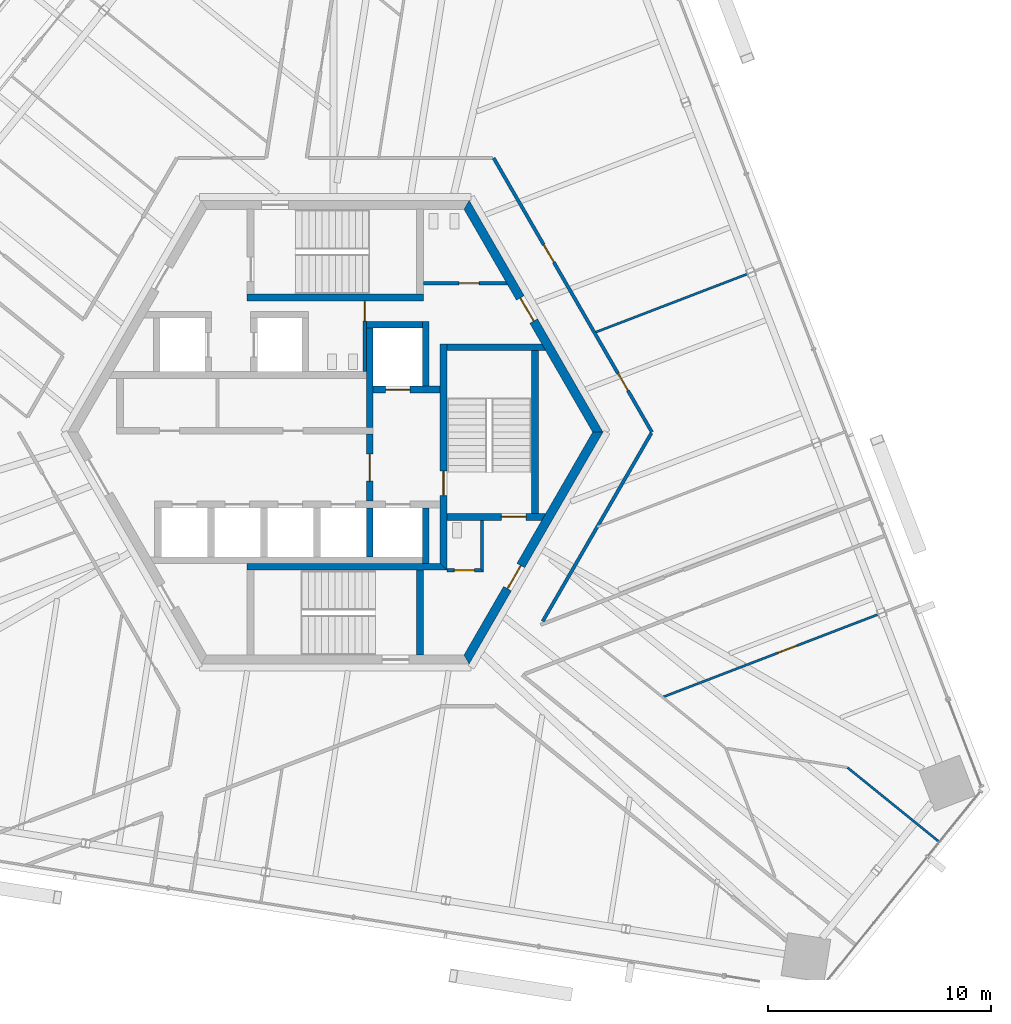
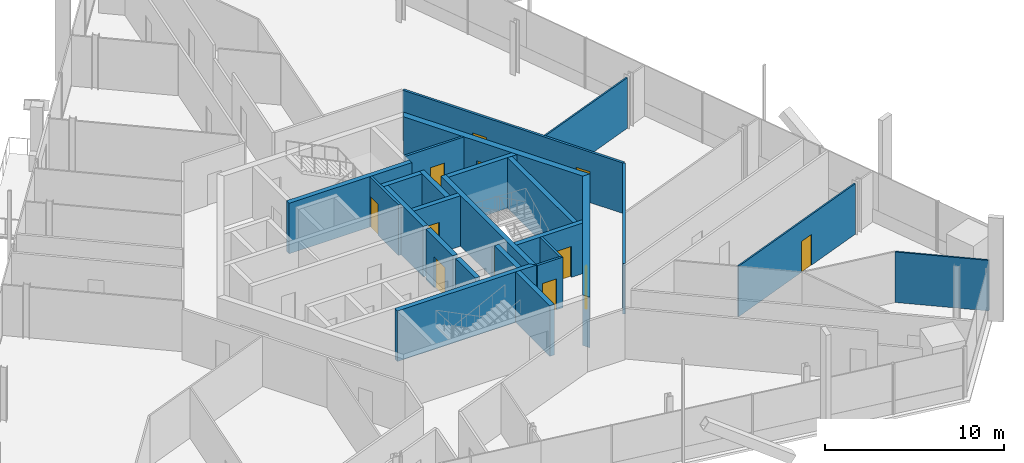
# One storey, part 13 of 21: 25 walls, 12 doors, 12 openings.
"""IFC4 building model written with IfcOpenShell, lengths in metres."""

from ifc_helpers import new_model, si_unit, direction, frame, frame_2d, origin, place, context, subcontext, project, spatial, polyline, rectangle, outline, extrude, source, transform, mapped, material, layer, layer_set, type_object, element, fill, save


model = new_model("IFC4")

# Units and contexts
model_context = context("Model", 3, precision=1e-05, world=origin(), true_north=direction((0.0, 1.0)))
body_context = subcontext(model_context, "Body", "Model", "MODEL_VIEW")
ifc_project = project(units=[si_unit("LENGTHUNIT", "METRE"), si_unit("AREAUNIT", "SQUARE_METRE"), si_unit("VOLUMEUNIT", "CUBIC_METRE"), si_unit("PLANEANGLEUNIT", "RADIAN"), si_unit("MASSUNIT", "GRAM", prefix="KILO")], contexts=[model_context])

# Site, building, storey
site_placement = place(None, origin())
site = spatial("IfcSite", under=ifc_project, at=site_placement, CompositionType="ELEMENT")
building_placement = place(site_placement, origin())
building = spatial("IfcBuilding", under=site, at=building_placement, Name="Triune Harvest Tower", CompositionType="ELEMENT")
storey_placement = place(building_placement, frame((0.0, 0.0, 146.10009765625)))
storey = spatial("IfcBuildingStorey", under=building, at=storey_placement, Name="L37", CompositionType="ELEMENT", Elevation=146.10009765625)

# Wall
ifc_material_1 = material(Name="Gypsum board on steel studs", Category="steel")
ifc_layer_1 = layer(ifc_material_1, 0.10009765625)
ifc_layer_set_1 = layer_set([ifc_layer_1], Name="Gypsum board on steel studs")
wall_type_1 = type_object("IfcWallType", Name="Partition 100 mm", PredefinedType="PARTITIONING", material=ifc_layer_set_1)
wall_1_placement = place(storey_placement, frame((22.9658203125, -15.041259765625, 0.0), z_axis=(0.0, 0.0, 1.0), x_axis=(0.777157899173, -0.629305648912, 0.0)))
element("IfcWall", 1, at=wall_1_placement, inside=storey, type_object=wall_type_1, Name="Partition L37 014", PredefinedType="PARTITIONING", context=body_context, shape_type="SweptSolid", body=[
    extrude(rectangle(XDim=5.295654296875, YDim=0.10009765625, at=frame_2d((2.64794921875, 0.0))), origin(), (0.0, 0.0, 1.0), 3.43994140625),
])

# Wall, opening, door
ifc_material_2 = material(Name="Concrete 70 MPa", Category="concrete")
ifc_layer_2 = layer(ifc_material_2, 0.39990234375)
ifc_layer_set_2 = layer_set([ifc_layer_2], Name="Concrete 70 MPa")
wall_type_2 = type_object("IfcWallType", Name="Core wall 400", PredefinedType="SHEAR", material=ifc_layer_set_2)
shared_shape_1 = source(origin(), body_context, "Body", "SweptSolid", [
    extrude(outline(polyline([(-0.115478515625, -0.199951171875), (11.884521484375, -0.199951171875), (11.653564453125, 0.199951171875), (0.115478515625, 0.199951171875), (-0.115478515625, -0.199951171875)])), origin(), (0.0, 0.0, 1.0), 3.43994140625),
])
wall_2_placement = place(storey_placement, frame((11.76904296875, 0.0, 0.0), z_axis=(0.0, 0.0, 1.0), x_axis=(-0.499996592174, 0.866027371285, 0.0)))
wall_2 = element("IfcWall", 2, at=wall_2_placement, inside=storey, type_object=wall_type_2, Name="Hexagon 0 wall", PredefinedType="SHEAR", context=body_context, shape_type="MappedRepresentation", body=[
    mapped(shared_shape_1, transform((0.0, 0.0, 0.0), scale=1.0)),
])
opening_1_placement = place(wall_2_placement, frame((5.75048828125, 0.0, 0.0)))
opening_1 = element("IfcOpeningElement", 3, at=opening_1_placement, cuts=wall_2, Name="Opening CD-WCP", PredefinedType="OPENING", context=body_context, shape_type="SweptSolid", body=[
    extrude(rectangle(XDim=1.199951171875, YDim=2.10009765625, at=frame_2d((0.60009765625, 1.050048828125))), frame((0.0, 0.2099609375, 0.0), z_axis=(0.0, -1.0, 0.0), x_axis=(1.0, 0.0, 0.0)), (0.0, 0.0, 1.0), 0.419921875),
])
ifc_material_3 = material(Name="Steel S235", Category="steel")
door_type_1 = type_object("IfcDoorType", Name="Lobby door 1200 FD120", OperationType="SINGLE_SWING_LEFT", PredefinedType="DOOR", material=ifc_material_3)
door_1_placement = place(opening_1_placement, frame((1.199951171875, 0.0, 0.0), z_axis=(0.0, 0.0, 1.0), x_axis=(-1.0, 0.0, 0.0)))
door_1 = element("IfcDoor", 4, at=door_1_placement, inside=storey, type_object=door_type_1, Name="Door CD-WCP", OperationType="SINGLE_SWING_RIGHT", OverallHeight=2.10009765625, OverallWidth=1.199951171875, PredefinedType="DOOR", context=body_context, shape_type="SweptSolid", body=[
    extrude(rectangle(XDim=1.199951171875, YDim=2.10009765625, at=frame_2d((0.60009765625, 1.050048828125))), frame((0.0, 0.02490234375, 0.0), z_axis=(0.0, -1.0, 0.0), x_axis=(1.0, 0.0, 0.0)), (0.0, 0.0, 1.0), 0.050048828125),
])
fill(opening_1, door_1)

wall_3_placement = place(storey_placement, frame((5.884521484375, -10.1923828125, 0.0), z_axis=(0.0, 0.0, 1.0), x_axis=(0.499996592174, 0.866027371285, 0.0)))
wall_3 = element("IfcWall", 5, at=wall_3_placement, inside=storey, type_object=wall_type_2, Name="Hexagon 5 wall", PredefinedType="SHEAR", context=body_context, shape_type="MappedRepresentation", body=[
    mapped(shared_shape_1, transform((0.0, 0.0, 0.0), scale=1.0)),
])
opening_2_placement = place(wall_3_placement, frame((3.66455078125, 0.0, 0.0)))
opening_2 = element("IfcOpeningElement", 6, at=opening_2_placement, cuts=wall_3, Name="Opening CD-DP", PredefinedType="OPENING", context=body_context, shape_type="SweptSolid", body=[
    extrude(rectangle(XDim=1.199951171875, YDim=2.10009765625, at=frame_2d((0.60009765625, 1.050048828125))), frame((0.0, 0.2099609375, 0.0), z_axis=(0.0, -1.0, 0.0), x_axis=(1.0, 0.0, 0.0)), (0.0, 0.0, 1.0), 0.419921875),
])
ifc_material_4 = material(Name="Steel S235", Category="steel")
door_type_2 = type_object("IfcDoorType", Name="Stair door 1200 FD120", OperationType="SINGLE_SWING_LEFT", PredefinedType="DOOR", material=ifc_material_4)
door_2_placement = place(opening_2_placement, frame((1.199951171875, 0.0, 0.0), z_axis=(0.0, 0.0, 1.0), x_axis=(-1.0, 0.0, 0.0)))
door_2 = element("IfcDoor", 7, at=door_2_placement, inside=storey, type_object=door_type_2, Name="Door CD-DP", OperationType="SINGLE_SWING_RIGHT", OverallHeight=2.10009765625, OverallWidth=1.199951171875, PredefinedType="DOOR", context=body_context, shape_type="SweptSolid", body=[
    extrude(rectangle(XDim=1.199951171875, YDim=2.10009765625, at=frame_2d((0.60009765625, 1.050048828125))), frame((0.0, 0.02490234375, 0.0), z_axis=(0.0, -1.0, 0.0), x_axis=(1.0, 0.0, 0.0)), (0.0, 0.0, 1.0), 0.050048828125),
])
fill(opening_2, door_2)

# Walls
ifc_material_5 = material(Name="Concrete 70 MPa", Category="concrete")
ifc_layer_3 = layer(ifc_material_5, 0.300048828125)
ifc_layer_set_3 = layer_set([ifc_layer_3], Name="Concrete 70 MPa")
wall_type_3 = type_object("IfcWallType", Name="Core wall 300", PredefinedType="SHEAR", material=ifc_layer_set_3)
shared_shape_2 = source(origin(), body_context, "Body", "SweptSolid", [
    extrude(rectangle(XDim=2.5, YDim=0.300048828125, at=frame_2d((1.25, 0.0))), origin(), (0.0, 0.0, 1.0), 3.43994140625),
])
for number, where, z_axis, x_axis, name in (
    (8, (1.39990234375, 4.81005859375, 0.0), (0.0, 0.0, 1.0), (1.0, 0.0, 0.0), "Ff1 back wall"),
    (9, (4.050048828125, -5.889892578125, 0.0), (0.0, 0.0, 1.0), (0.0, 1.0, 0.0), "Ff2 east wall"),
):
    element("IfcWall", number, at=place(storey_placement, frame(where, z_axis=z_axis, x_axis=x_axis)), inside=storey, type_object=wall_type_3, Name=name, PredefinedType="SHEAR", context=body_context, shape_type="MappedRepresentation", body=[
        mapped(shared_shape_2, transform((0.0, 0.0, 0.0), scale=1.0)),
    ])
shared_shape_3 = source(origin(), body_context, "Body", "SweptSolid", [
    extrude(rectangle(XDim=4.449951171875, YDim=0.300048828125, at=frame_2d((2.22509765625, 0.0))), origin(), (0.0, 0.0, 1.0), 3.43994140625),
])
wall_4_placement = place(storey_placement, frame((1.550048828125, 0.2099609375, 0.0), z_axis=(0.0, 0.0, 1.0), x_axis=(0.0, 1.0, 0.0)))
element("IfcWall", 10, at=wall_4_placement, inside=storey, type_object=wall_type_3, Name="Ff1 west wall", PredefinedType="SHEAR", context=body_context, shape_type="MappedRepresentation", body=[
    mapped(shared_shape_3, transform((0.0, 0.0, 0.0), scale=1.0)),
])

# Wall, opening, door
shared_shape_4 = source(origin(), body_context, "Body", "SweptSolid", [
    extrude(rectangle(XDim=3.0, YDim=0.300048828125, at=frame_2d((1.5, 0.0))), origin(), (0.0, 0.0, 1.0), 3.43994140625),
])
wall_5_placement = place(storey_placement, frame((1.699951171875, 1.909912109375, 0.0), z_axis=(0.0, 0.0, 1.0), x_axis=(1.0, 0.0, 0.0)))
wall_5 = element("IfcWall", 11, at=wall_5_placement, inside=storey, type_object=wall_type_3, Name="Ff1 front wall", PredefinedType="SHEAR", context=body_context, shape_type="MappedRepresentation", body=[
    mapped(shared_shape_4, transform((0.0, 0.0, 0.0), scale=1.0)),
])
opening_3_placement = place(wall_5_placement, frame((0.550048828125, 0.0, 0.0)))
opening_3 = element("IfcOpeningElement", 12, at=opening_3_placement, cuts=wall_5, Name="Opening LD-FF1-37", PredefinedType="OPENING", context=body_context, shape_type="SweptSolid", body=[
    extrude(rectangle(XDim=1.10009765625, YDim=2.10009765625, at=frame_2d((0.550048828125, 1.050048828125))), frame((0.0, 0.16015625, 0.0), z_axis=(0.0, -1.0, 0.0), x_axis=(1.0, 0.0, 0.0)), (0.0, 0.0, 1.0), 0.320068359375),
])
ifc_material_6 = material(Name="Stainless steel AISI 304", Category="steel")
door_type_3 = type_object("IfcDoorType", Name="Landing door 1100 x 2100", OperationType="DOUBLE_DOOR_SLIDING", PredefinedType="DOOR", material=ifc_material_6)
door_3_placement = place(opening_3_placement, origin())
door_3 = element("IfcDoor", 13, at=door_3_placement, inside=storey, type_object=door_type_3, Name="Door LD-FF1-37", OperationType="DOUBLE_DOOR_SLIDING", OverallHeight=2.10009765625, OverallWidth=1.10009765625, PredefinedType="DOOR", context=body_context, shape_type="SweptSolid", body=[
    extrude(rectangle(XDim=1.10009765625, YDim=2.10009765625, at=frame_2d((0.550048828125, 1.050048828125))), frame((0.0, 0.02490234375, 0.0), z_axis=(0.0, -1.0, 0.0), x_axis=(1.0, 0.0, 0.0)), (0.0, 0.0, 1.0), 0.050048828125),
])
fill(opening_3, door_3)

wall_6_placement = place(storey_placement, frame((1.550048828125, -3.090087890625, 0.0), z_axis=(0.0, 0.0, 1.0), x_axis=(0.0, 1.0, 0.0)))
wall_6 = element("IfcWall", 14, at=wall_6_placement, inside=storey, type_object=wall_type_3, Name="Ff lobby west wall", PredefinedType="SHEAR", context=body_context, shape_type="MappedRepresentation", body=[
    mapped(shared_shape_4, transform((0.0, 0.0, 0.0), scale=1.0)),
])
opening_4_placement = place(wall_6_placement, frame((0.89990234375, 0.0, 0.0)))
opening_4 = element("IfcOpeningElement", 15, at=opening_4_placement, cuts=wall_6, Name="Opening CD-FL", PredefinedType="OPENING", context=body_context, shape_type="SweptSolid", body=[
    extrude(rectangle(XDim=1.199951171875, YDim=2.10009765625, at=frame_2d((0.60009765625, 1.050048828125))), frame((0.0, 0.16015625, 0.0), z_axis=(0.0, -1.0, 0.0), x_axis=(1.0, 0.0, 0.0)), (0.0, 0.0, 1.0), 0.320068359375),
])
ifc_material_7 = material(Name="Steel S235", Category="steel")
door_type_4 = type_object("IfcDoorType", Name="Firefighters' lobby door 1200 FD120", OperationType="SINGLE_SWING_LEFT", PredefinedType="DOOR", material=ifc_material_7)
door_4_placement = place(opening_4_placement, frame((1.199951171875, 0.0, 0.0), z_axis=(0.0, 0.0, 1.0), x_axis=(-1.0, 0.0, 0.0)))
door_4 = element("IfcDoor", 16, at=door_4_placement, inside=storey, type_object=door_type_4, Name="Door CD-FL", OperationType="SINGLE_SWING_RIGHT", OverallHeight=2.10009765625, OverallWidth=1.199951171875, PredefinedType="DOOR", context=body_context, shape_type="SweptSolid", body=[
    extrude(rectangle(XDim=1.199951171875, YDim=2.10009765625, at=frame_2d((0.60009765625, 1.050048828125))), frame((0.0, 0.02490234375, 0.0), z_axis=(0.0, -1.0, 0.0), x_axis=(1.0, 0.0, 0.0)), (0.0, 0.0, 1.0), 0.050048828125),
])
fill(opening_4, door_4)

# Walls
shared_shape_5 = source(origin(), body_context, "Body", "SweptSolid", [
    extrude(rectangle(XDim=2.89990234375, YDim=0.300048828125, at=frame_2d((1.449951171875, 0.0))), origin(), (0.0, 0.0, 1.0), 3.43994140625),
])
wall_7_placement = place(storey_placement, frame((4.050048828125, 2.06005859375, 0.0), z_axis=(0.0, 0.0, 1.0), x_axis=(0.0, 1.0, 0.0)))
element("IfcWall", 17, at=wall_7_placement, inside=storey, type_object=wall_type_3, Name="Ff1 east wall", PredefinedType="SHEAR", context=body_context, shape_type="MappedRepresentation", body=[
    mapped(shared_shape_5, transform((0.0, 0.0, 0.0), scale=1.0)),
])
shared_shape_6 = source(origin(), body_context, "Body", "SweptSolid", [
    extrude(rectangle(XDim=2.2001953125, YDim=0.300048828125, at=frame_2d((1.10009765625, 0.0))), origin(), (0.0, 0.0, 1.0), 3.43994140625),
])
wall_8_placement = place(storey_placement, frame((1.550048828125, -5.590087890625, 0.0), z_axis=(0.0, 0.0, 1.0), x_axis=(0.0, 1.0, 0.0)))
element("IfcWall", 18, at=wall_8_placement, inside=storey, type_object=wall_type_3, Name="Ff2 west wall", PredefinedType="SHEAR", context=body_context, shape_type="MappedRepresentation", body=[
    mapped(shared_shape_6, transform((0.0, 0.0, 0.0), scale=1.0)),
])

# Wall, opening, door
shared_shape_7 = source(origin(), body_context, "Body", "SweptSolid", [
    extrude(outline(polyline([(-0.14990234375, -0.14990234375), (9.989990234375, -0.14990234375), (9.989990234375, 0.14990234375), (0.14990234375, 0.14990234375), (-0.14990234375, -0.14990234375)])), origin(), (0.0, 0.0, 1.0), 3.43994140625),
])
wall_9_placement = place(storey_placement, frame((4.85009765625, -6.0400390625, 0.0), z_axis=(0.0, 0.0, 1.0), x_axis=(0.0, 1.0, 0.0)))
wall_9 = element("IfcWall", 19, at=wall_9_placement, inside=storey, type_object=wall_type_3, Name="Stair e west wall", PredefinedType="SHEAR", context=body_context, shape_type="MappedRepresentation", body=[
    mapped(shared_shape_7, transform((0.0, 0.0, 0.0), scale=1.0)),
])
opening_5_placement = place(wall_9_placement, frame((3.18994140625, 0.0, 0.0)))
opening_5 = element("IfcOpeningElement", 20, at=opening_5_placement, cuts=wall_9, Name="Opening CD-S3L", PredefinedType="OPENING", context=body_context, shape_type="SweptSolid", body=[
    extrude(rectangle(XDim=1.10009765625, YDim=2.10009765625, at=frame_2d((0.550048828125, 1.050048828125))), frame((0.0, 0.16015625, 0.0), z_axis=(0.0, -1.0, 0.0), x_axis=(1.0, 0.0, 0.0)), (0.0, 0.0, 1.0), 0.320068359375),
])
ifc_material_8 = material(Name="Steel S235", Category="steel")
door_type_5 = type_object("IfcDoorType", Name="Stair door 1100 FD120", OperationType="SINGLE_SWING_LEFT", PredefinedType="DOOR", material=ifc_material_8)
door_5_placement = place(opening_5_placement, frame((1.10009765625, 0.0, 0.0), z_axis=(0.0, 0.0, 1.0), x_axis=(-1.0, 0.0, 0.0)))
door_5 = element("IfcDoor", 21, at=door_5_placement, inside=storey, type_object=door_type_5, Name="Door CD-S3L", OperationType="SINGLE_SWING_RIGHT", OverallHeight=2.10009765625, OverallWidth=1.10009765625, PredefinedType="DOOR", context=body_context, shape_type="SweptSolid", body=[
    extrude(rectangle(XDim=1.10009765625, YDim=2.10009765625, at=frame_2d((0.550048828125, 1.050048828125))), frame((0.0, 0.02490234375, 0.0), z_axis=(0.0, -1.0, 0.0), x_axis=(1.0, 0.0, 0.0)), (0.0, 0.0, 1.0), 0.050048828125),
])
fill(opening_5, door_5)

# Wall
shared_shape_8 = source(origin(), body_context, "Body", "SweptSolid", [
    extrude(outline(polyline([(0.0, -0.14990234375), (0.0, 0.14990234375), (4.260009765625, 0.14990234375), (4.43310546875, -0.14990234375), (0.0, -0.14990234375)])), origin(), (0.0, 0.0, 1.0), 3.43994140625),
])
wall_10_placement = place(storey_placement, frame((5.0, 3.800048828125, 0.0), z_axis=(0.0, 0.0, 1.0), x_axis=(1.0, 0.0, 0.0)))
element("IfcWall", 22, at=wall_10_placement, inside=storey, type_object=wall_type_3, Name="Stair e north wall", PredefinedType="SHEAR", context=body_context, shape_type="MappedRepresentation", body=[
    mapped(shared_shape_8, transform((0.0, 0.0, 0.0), scale=1.0)),
])

# Wall, opening, door
shared_shape_9 = source(origin(), body_context, "Body", "SweptSolid", [
    extrude(outline(polyline([(0.0, -0.14990234375), (0.0, 0.14990234375), (4.43310546875, 0.14990234375), (4.260009765625, -0.14990234375), (0.0, -0.14990234375)])), origin(), (0.0, 0.0, 1.0), 3.43994140625),
])
wall_11_placement = place(storey_placement, frame((5.0, -3.800048828125, 0.0), z_axis=(0.0, 0.0, 1.0), x_axis=(1.0, 0.0, 0.0)))
wall_11 = element("IfcWall", 23, at=wall_11_placement, inside=storey, type_object=wall_type_3, Name="Stair e south wall", PredefinedType="SHEAR", context=body_context, shape_type="MappedRepresentation", body=[
    mapped(shared_shape_9, transform((0.0, 0.0, 0.0), scale=1.0)),
])
opening_6_placement = place(wall_11_placement, frame((2.449951171875, 0.0, 0.0)))
opening_6 = element("IfcOpeningElement", 24, at=opening_6_placement, cuts=wall_11, Name="Opening CD-S3D", PredefinedType="OPENING", context=body_context, shape_type="SweptSolid", body=[
    extrude(rectangle(XDim=1.10009765625, YDim=2.10009765625, at=frame_2d((0.550048828125, 1.050048828125))), frame((0.0, 0.16015625, 0.0), z_axis=(0.0, -1.0, 0.0), x_axis=(1.0, 0.0, 0.0)), (0.0, 0.0, 1.0), 0.320068359375),
])
door_6_placement = place(opening_6_placement, frame((1.10009765625, 0.0, 0.0), z_axis=(0.0, 0.0, 1.0), x_axis=(-1.0, 0.0, 0.0)))
door_6 = element("IfcDoor", 25, at=door_6_placement, inside=storey, type_object=door_type_5, Name="Door CD-S3D", OperationType="SINGLE_SWING_RIGHT", OverallHeight=2.10009765625, OverallWidth=1.10009765625, PredefinedType="DOOR", context=body_context, shape_type="SweptSolid", body=[
    extrude(rectangle(XDim=1.10009765625, YDim=2.10009765625, at=frame_2d((0.550048828125, 1.050048828125))), frame((0.0, 0.02490234375, 0.0), z_axis=(0.0, -1.0, 0.0), x_axis=(1.0, 0.0, 0.0)), (0.0, 0.0, 1.0), 0.050048828125),
])
fill(opening_6, door_6)

# Walls
shared_shape_10 = source(origin(), body_context, "Body", "SweptSolid", [
    extrude(rectangle(XDim=7.2998046875, YDim=0.300048828125, at=frame_2d((3.64990234375, 0.0))), origin(), (0.0, 0.0, 1.0), 3.43994140625),
])
wall_12_placement = place(storey_placement, frame((8.949951171875, -3.64990234375, 0.0), z_axis=(0.0, 0.0, 1.0), x_axis=(0.0, 1.0, 0.0)))
element("IfcWall", 26, at=wall_12_placement, inside=storey, type_object=wall_type_3, Name="Stair e east wall", PredefinedType="SHEAR", context=body_context, shape_type="MappedRepresentation", body=[
    mapped(shared_shape_10, transform((0.0, 0.0, 0.0), scale=1.0)),
])
shared_shape_11 = source(origin(), body_context, "Body", "SweptSolid", [
    extrude(rectangle(XDim=7.89990234375, YDim=0.300048828125, at=frame_2d((3.949951171875, 0.0))), origin(), (0.0, 0.0, 1.0), 3.43994140625),
])
wall_13_placement = place(storey_placement, frame((-3.949951171875, 6.0400390625, 0.0), z_axis=(0.0, 0.0, 1.0), x_axis=(1.0, 0.0, 0.0)))
element("IfcWall", 27, at=wall_13_placement, inside=storey, type_object=wall_type_3, Name="Stair n south wall", PredefinedType="SHEAR", context=body_context, shape_type="MappedRepresentation", body=[
    mapped(shared_shape_11, transform((0.0, 0.0, 0.0), scale=1.0)),
])
shared_shape_12 = source(origin(), body_context, "Body", "SweptSolid", [
    extrude(outline(polyline([(0.0, -0.14990234375), (8.949951171875, -0.14990234375), (8.64990234375, 0.14990234375), (0.0, 0.14990234375), (0.0, -0.14990234375)])), origin(), (0.0, 0.0, 1.0), 3.43994140625),
])
wall_14_placement = place(storey_placement, frame((-3.949951171875, -6.0400390625, 0.0), z_axis=(0.0, 0.0, 1.0), x_axis=(1.0, 0.0, 0.0)))
element("IfcWall", 28, at=wall_14_placement, inside=storey, type_object=wall_type_3, Name="Stair s north wall", PredefinedType="SHEAR", context=body_context, shape_type="MappedRepresentation", body=[
    mapped(shared_shape_12, transform((0.0, 0.0, 0.0), scale=1.0)),
])
shared_shape_13 = source(origin(), body_context, "Body", "SweptSolid", [
    extrude(outline(polyline([(3.800048828125, -0.14990234375), (-0.00439453125, -0.14990234375), (-0.00439453125, 0.14990234375), (3.800048828125, 0.14990234375), (3.800048828125, -0.14990234375)])), origin(), (0.0, 0.0, 1.0), 3.43994140625),
])
wall_15_placement = place(storey_placement, frame((3.800048828125, -9.989990234375, 0.0), z_axis=(0.0, 0.0, 1.0), x_axis=(0.0, 1.0, 0.0)))
element("IfcWall", 29, at=wall_15_placement, inside=storey, type_object=wall_type_3, Name="Stair s east wall", PredefinedType="SHEAR", context=body_context, shape_type="MappedRepresentation", body=[
    mapped(shared_shape_13, transform((0.0, 0.0, 0.0), scale=1.0)),
])

# Wall, opening, door
ifc_material_9 = material(Name="Concrete masonry unit", Category="masonry")
ifc_layer_4 = layer(ifc_material_9, 0.14990234375)
ifc_layer_set_4 = layer_set([ifc_layer_4], Name="Concrete masonry unit")
wall_type_4 = type_object("IfcWallType", Name="Block partition 150 unrated", PredefinedType="PARTITIONING", material=ifc_layer_set_4)
shared_shape_14 = source(origin(), body_context, "Body", "SweptSolid", [
    extrude(rectangle(XDim=3.179931640625, YDim=0.14990234375, at=frame_2d((1.58984375, 0.0))), origin(), (0.0, 0.0, 1.0), 3.43994140625),
])
wall_16_placement = place(storey_placement, frame((1.324951171875, 2.7099609375, 0.0), z_axis=(0.0, 0.0, 1.0), x_axis=(0.0, 1.0, 0.0)))
wall_16 = element("IfcWall", 30, at=wall_16_placement, inside=storey, type_object=wall_type_4, Name="Wc men east wall", PredefinedType="PARTITIONING", context=body_context, shape_type="MappedRepresentation", body=[
    mapped(shared_shape_14, transform((0.0, 0.0, 0.0), scale=1.0)),
])
opening_7_placement = place(wall_16_placement, frame((2.264892578125, 0.0, 0.0)))
opening_7 = element("IfcOpeningElement", 31, at=opening_7_placement, cuts=wall_16, Name="Opening CD-WM", PredefinedType="OPENING", context=body_context, shape_type="SweptSolid", body=[
    extrude(rectangle(XDim=0.89990234375, YDim=2.10009765625, at=frame_2d((0.449951171875, 1.050048828125))), frame((0.0, 0.0849609375, 0.0), z_axis=(0.0, -1.0, 0.0), x_axis=(1.0, 0.0, 0.0)), (0.0, 0.0, 1.0), 0.169921875),
])
ifc_material_10 = material(Name="Timber C24", Category="wood")
door_type_6 = type_object("IfcDoorType", Name="WC door 900", OperationType="SINGLE_SWING_LEFT", PredefinedType="DOOR", material=ifc_material_10)
door_7_placement = place(opening_7_placement, origin())
door_7 = element("IfcDoor", 32, at=door_7_placement, inside=storey, type_object=door_type_6, Name="Door CD-WM", OperationType="SINGLE_SWING_LEFT", OverallHeight=2.10009765625, OverallWidth=0.89990234375, PredefinedType="DOOR", context=body_context, shape_type="SweptSolid", body=[
    extrude(rectangle(XDim=0.89990234375, YDim=2.10009765625, at=frame_2d((0.449951171875, 1.050048828125))), frame((0.0, 0.02490234375, 0.0), z_axis=(0.0, -1.0, 0.0), x_axis=(1.0, 0.0, 0.0)), (0.0, 0.0, 1.0), 0.050048828125),
])
fill(opening_7, door_7)

shared_shape_15 = source(origin(), body_context, "Body", "SweptSolid", [
    extrude(outline(polyline([(0.0, -0.074951171875), (0.0, 0.074951171875), (3.693359375, 0.074951171875), (3.77978515625, -0.074951171875), (0.0, -0.074951171875)])), origin(), (0.0, 0.0, 1.0), 3.43994140625),
])
wall_17_placement = place(storey_placement, frame((3.949951171875, 6.675048828125, 0.0), z_axis=(0.0, 0.0, 1.0), x_axis=(1.0, 0.0, 0.0)))
wall_17 = element("IfcWall", 33, at=wall_17_placement, inside=storey, type_object=wall_type_4, Name="Wc women south wall", PredefinedType="PARTITIONING", context=body_context, shape_type="MappedRepresentation", body=[
    mapped(shared_shape_15, transform((0.0, 0.0, 0.0), scale=1.0)),
])
opening_8_placement = place(wall_17_placement, frame((1.60009765625, 0.0, 0.0)))
opening_8 = element("IfcOpeningElement", 34, at=opening_8_placement, cuts=wall_17, Name="Opening CD-WW", PredefinedType="OPENING", context=body_context, shape_type="SweptSolid", body=[
    extrude(rectangle(XDim=0.89990234375, YDim=2.10009765625, at=frame_2d((0.449951171875, 1.050048828125))), frame((0.0, 0.0849609375, 0.0), z_axis=(0.0, -1.0, 0.0), x_axis=(1.0, 0.0, 0.0)), (0.0, 0.0, 1.0), 0.169921875),
])
door_8_placement = place(opening_8_placement, origin())
door_8 = element("IfcDoor", 35, at=door_8_placement, inside=storey, type_object=door_type_6, Name="Door CD-WW", OperationType="SINGLE_SWING_LEFT", OverallHeight=2.10009765625, OverallWidth=0.89990234375, PredefinedType="DOOR", context=body_context, shape_type="SweptSolid", body=[
    extrude(rectangle(XDim=0.89990234375, YDim=2.10009765625, at=frame_2d((0.449951171875, 1.050048828125))), frame((0.0, 0.02490234375, 0.0), z_axis=(0.0, -1.0, 0.0), x_axis=(1.0, 0.0, 0.0)), (0.0, 0.0, 1.0), 0.050048828125),
])
fill(opening_8, door_8)

shared_shape_16 = source(origin(), body_context, "Body", "SweptSolid", [
    extrude(outline(polyline([(0.0, -0.074951171875), (1.64990234375, -0.074951171875), (1.5, 0.074951171875), (0.0, 0.074951171875), (0.0, -0.074951171875)])), origin(), (0.0, 0.0, 1.0), 3.43994140625),
])
wall_18_placement = place(storey_placement, frame((5.0, -6.18994140625, 0.0), z_axis=(0.0, 0.0, 1.0), x_axis=(1.0, 0.0, 0.0)))
wall_18 = element("IfcWall", 36, at=wall_18_placement, inside=storey, type_object=wall_type_4, Name="Wc acc south wall", PredefinedType="PARTITIONING", context=body_context, shape_type="MappedRepresentation", body=[
    mapped(shared_shape_16, transform((0.0, 0.0, 0.0), scale=1.0)),
])
opening_9_placement = place(wall_18_placement, frame((0.33740234375, 0.0, 0.0)))
opening_9 = element("IfcOpeningElement", 37, at=opening_9_placement, cuts=wall_18, Name="Opening CD-WA", PredefinedType="OPENING", context=body_context, shape_type="SweptSolid", body=[
    extrude(rectangle(XDim=0.89990234375, YDim=2.10009765625, at=frame_2d((0.449951171875, 1.050048828125))), frame((0.0, 0.0849609375, 0.0), z_axis=(0.0, -1.0, 0.0), x_axis=(1.0, 0.0, 0.0)), (0.0, 0.0, 1.0), 0.169921875),
])
door_9_placement = place(opening_9_placement, origin())
door_9 = element("IfcDoor", 38, at=door_9_placement, inside=storey, type_object=door_type_6, Name="Door CD-WA", OperationType="SINGLE_SWING_LEFT", OverallHeight=2.10009765625, OverallWidth=0.89990234375, PredefinedType="DOOR", context=body_context, shape_type="SweptSolid", body=[
    extrude(rectangle(XDim=0.89990234375, YDim=2.10009765625, at=frame_2d((0.449951171875, 1.050048828125))), frame((0.0, 0.02490234375, 0.0), z_axis=(0.0, -1.0, 0.0), x_axis=(1.0, 0.0, 0.0)), (0.0, 0.0, 1.0), 0.050048828125),
])
fill(opening_9, door_9)

# Wall
shared_shape_17 = source(origin(), body_context, "Body", "SweptSolid", [
    extrude(outline(polyline([(-0.074951171875, -0.074951171875), (2.239990234375, -0.074951171875), (2.239990234375, 0.074951171875), (0.074951171875, 0.074951171875), (-0.074951171875, -0.074951171875)])), origin(), (0.0, 0.0, 1.0), 3.43994140625),
])
wall_19_placement = place(storey_placement, frame((6.574951171875, -6.18994140625, 0.0), z_axis=(0.0, 0.0, 1.0), x_axis=(0.0, 1.0, 0.0)))
element("IfcWall", 39, at=wall_19_placement, inside=storey, type_object=wall_type_4, Name="Wc acc east wall", PredefinedType="PARTITIONING", context=body_context, shape_type="MappedRepresentation", body=[
    mapped(shared_shape_17, transform((0.0, 0.0, 0.0), scale=1.0)),
])

# Wall, openings, doors
ifc_material_11 = material(Name="Gypsum board on steel studs", Category="steel")
ifc_layer_5 = layer(ifc_material_11, 0.14990234375)
ifc_layer_set_5 = layer_set([ifc_layer_5], Name="Gypsum board on steel studs")
wall_type_5 = type_object("IfcWallType", Name="Fire Partition 150 mm", PredefinedType="PARTITIONING", material=ifc_layer_set_5)
shared_shape_18 = source(origin(), body_context, "Body", "SweptSolid", [
    extrude(rectangle(XDim=14.19384765625, YDim=0.14990234375, at=frame_2d((7.096923828125, 0.0))), origin(), (0.0, 0.0, 1.0), 3.43994140625),
])
wall_20_placement = place(storey_placement, frame((7.096923828125, 12.292236328125, 0.0), z_axis=(0.0, 0.0, 1.0), x_axis=(0.499999887723, -0.866025468608, 0.0)))
wall_20 = element("IfcWall", 40, at=wall_20_placement, inside=storey, type_object=wall_type_5, Name="Partition L37 004", PredefinedType="PARTITIONING", context=body_context, shape_type="MappedRepresentation", body=[
    mapped(shared_shape_18, transform((0.0, 0.0, 0.0), scale=1.0)),
])
opening_10_placement = place(wall_20_placement, frame((11.143798828125, 0.0, 0.0)))
opening_10 = element("IfcOpeningElement", 41, at=opening_10_placement, cuts=wall_20, Name="Opening L37-004", PredefinedType="OPENING", context=body_context, shape_type="SweptSolid", body=[
    extrude(rectangle(XDim=0.89990234375, YDim=2.10009765625, at=frame_2d((0.449951171875, 1.050048828125))), frame((0.0, 0.0849609375, 0.0), z_axis=(0.0, -1.0, 0.0), x_axis=(1.0, 0.0, 0.0)), (0.0, 0.0, 1.0), 0.169921875),
])
opening_11_placement = place(wall_20_placement, frame((4.493896484375, 0.0, 0.0)))
opening_11 = element("IfcOpeningElement", 42, at=opening_11_placement, cuts=wall_20, Name="Opening L37-005", PredefinedType="OPENING", context=body_context, shape_type="SweptSolid", body=[
    extrude(rectangle(XDim=0.89990234375, YDim=2.10009765625, at=frame_2d((0.449951171875, 1.050048828125))), frame((0.0, 0.0849609375, 0.0), z_axis=(0.0, -1.0, 0.0), x_axis=(1.0, 0.0, 0.0)), (0.0, 0.0, 1.0), 0.169921875),
])
ifc_material_12 = material(Name="Timber and steel door set", Category="steel")
door_type_7 = type_object("IfcDoorType", Name="Single leaf door FD30 left hand 900 x 2100", OperationType="SINGLE_SWING_LEFT", PredefinedType="DOOR", material=ifc_material_12)
door_10_placement = place(opening_11_placement, origin())
door_10 = element("IfcDoor", 43, at=door_10_placement, inside=storey, type_object=door_type_7, Name="Door L37-005 Open Office 37.05", OperationType="SINGLE_SWING_LEFT", OverallHeight=2.10009765625, OverallWidth=0.89990234375, PredefinedType="DOOR", context=body_context, shape_type="SweptSolid", body=[
    extrude(rectangle(XDim=0.89990234375, YDim=2.10009765625, at=frame_2d((0.449951171875, 1.050048828125))), frame((0.0, 0.02490234375, 0.0), z_axis=(0.0, -1.0, 0.0), x_axis=(1.0, 0.0, 0.0)), (0.0, 0.0, 1.0), 0.050048828125),
])
fill(opening_11, door_10)
ifc_material_13 = material(Name="Timber and steel door set", Category="steel")
door_type_8 = type_object("IfcDoorType", Name="Single leaf door FD30 right hand 900 x 2100", OperationType="SINGLE_SWING_RIGHT", PredefinedType="DOOR", material=ifc_material_13)
door_11_placement = place(opening_10_placement, origin())
door_11 = element("IfcDoor", 44, at=door_11_placement, inside=storey, type_object=door_type_8, Name="Door L37-004 Reception 37.04", OperationType="SINGLE_SWING_RIGHT", OverallHeight=2.10009765625, OverallWidth=0.89990234375, PredefinedType="DOOR", context=body_context, shape_type="SweptSolid", body=[
    extrude(rectangle(XDim=0.89990234375, YDim=2.10009765625, at=frame_2d((0.449951171875, 1.050048828125))), frame((0.0, 0.02490234375, 0.0), z_axis=(0.0, -1.0, 0.0), x_axis=(1.0, 0.0, 0.0)), (0.0, 0.0, 1.0), 0.050048828125),
])
fill(opening_10, door_11)

# Wall
shared_shape_19 = source(origin(), body_context, "Body", "SweptSolid", [
    extrude(rectangle(XDim=7.279541015625, YDim=0.10009765625, at=frame_2d((3.6396484375, 0.0))), origin(), (0.0, 0.0, 1.0), 3.43994140625),
])
wall_21_placement = place(storey_placement, frame((11.675048828125, 4.4814453125, 0.0), z_axis=(0.0, 0.0, 1.0), x_axis=(0.933587418319, 0.358349734696, 0.0)))
element("IfcWall", 45, at=wall_21_placement, inside=storey, type_object=wall_type_1, Name="Partition L37 037", PredefinedType="PARTITIONING", context=body_context, shape_type="MappedRepresentation", body=[
    mapped(shared_shape_19, transform((0.0, 0.0, 0.0), scale=1.0)),
])

# Wall, opening, door
shared_shape_20 = source(origin(), body_context, "Body", "SweptSolid", [
    extrude(rectangle(XDim=10.345458984375, YDim=0.10009765625, at=frame_2d((5.1728515625, 0.0))), origin(), (0.0, 0.0, 1.0), 3.43994140625),
])
wall_22_placement = place(storey_placement, frame((14.672119140625, -11.881103515625, 0.0), z_axis=(0.0, 0.0, 1.0), x_axis=(0.933577751709, 0.358374917529, 0.0)))
wall_22 = element("IfcWall", 46, at=wall_22_placement, inside=storey, type_object=wall_type_1, Name="Partition L37 025", PredefinedType="PARTITIONING", context=body_context, shape_type="MappedRepresentation", body=[
    mapped(shared_shape_20, transform((0.0, 0.0, 0.0), scale=1.0)),
])
opening_12_placement = place(wall_22_placement, frame((5.550048828125, 0.0, 0.0)))
opening_12 = element("IfcOpeningElement", 47, at=opening_12_placement, cuts=wall_22, Name="Opening L37-001", PredefinedType="OPENING", context=body_context, shape_type="SweptSolid", body=[
    extrude(rectangle(XDim=0.89990234375, YDim=2.10009765625, at=frame_2d((0.449951171875, 1.050048828125))), frame((0.0, 0.06005859375, 0.0), z_axis=(0.0, -1.0, 0.0), x_axis=(1.0, 0.0, 0.0)), (0.0, 0.0, 1.0), 0.1201171875),
])
ifc_material_14 = material(Name="Timber and steel door set", Category="steel")
door_type_9 = type_object("IfcDoorType", Name="Single leaf door left hand 900 x 2100", OperationType="SINGLE_SWING_LEFT", PredefinedType="DOOR", material=ifc_material_14)
door_12_placement = place(opening_12_placement, origin())
door_12 = element("IfcDoor", 48, at=door_12_placement, inside=storey, type_object=door_type_9, Name="Door L37-001 Project Room 37.01", OperationType="SINGLE_SWING_LEFT", OverallHeight=2.10009765625, OverallWidth=0.89990234375, PredefinedType="DOOR", context=body_context, shape_type="SweptSolid", body=[
    extrude(rectangle(XDim=0.89990234375, YDim=2.10009765625, at=frame_2d((0.449951171875, 1.050048828125))), frame((0.0, 0.02490234375, 0.0), z_axis=(0.0, -1.0, 0.0), x_axis=(1.0, 0.0, 0.0)), (0.0, 0.0, 1.0), 0.050048828125),
])
fill(opening_12, door_12)

# Wall
shared_shape_21 = source(origin(), body_context, "Body", "SweptSolid", [
    extrude(rectangle(XDim=9.742431640625, YDim=0.14990234375, at=frame_2d((4.87109375, 0.0))), origin(), (0.0, 0.0, 1.0), 3.43994140625),
])
wall_23_placement = place(storey_placement, frame((9.297607421875, -8.48046875, 0.0), z_axis=(0.0, 0.0, 1.0), x_axis=(0.500006616504, 0.86602158371, 0.0)))
element("IfcWall", 49, at=wall_23_placement, inside=storey, type_object=wall_type_5, Name="Partition L37 040", PredefinedType="PARTITIONING", context=body_context, shape_type="MappedRepresentation", body=[
    mapped(shared_shape_21, transform((0.0, 0.0, 0.0), scale=1.0)),
])

save(model, "model.ifc")
